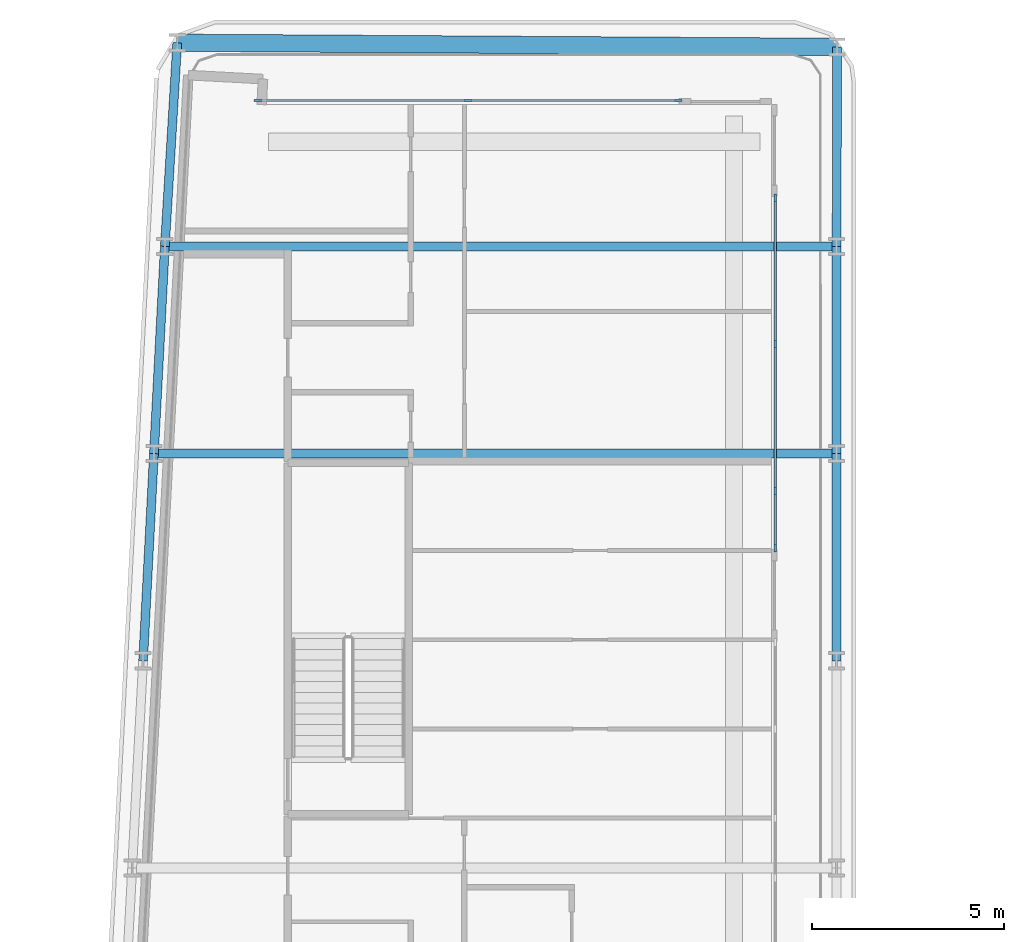
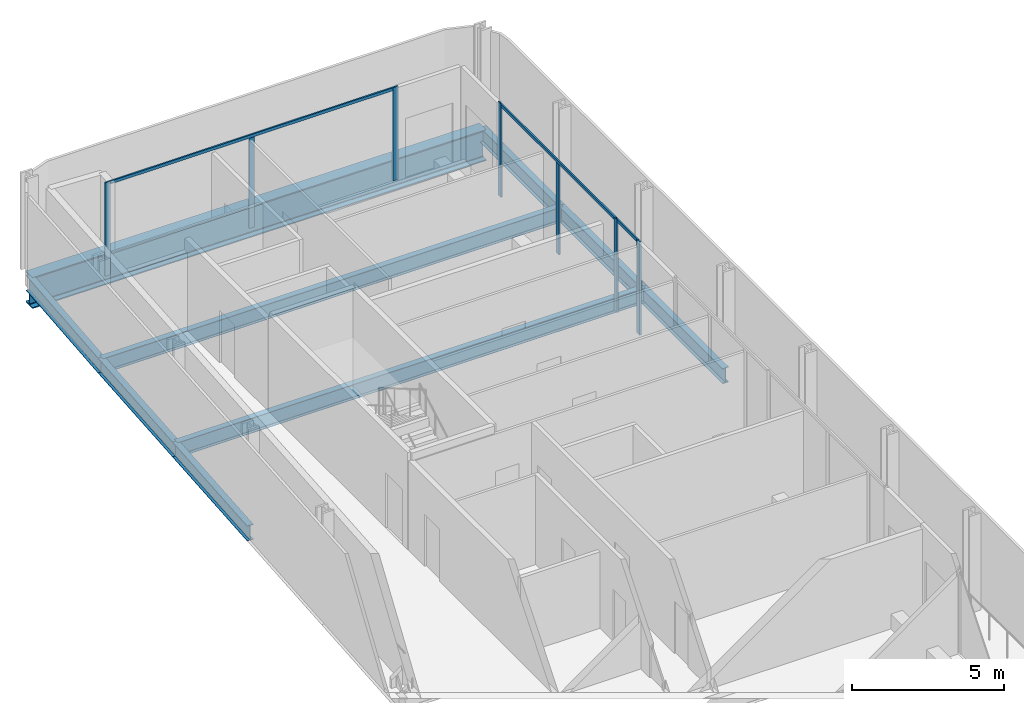
# One storey, part 8 of 25: 10 members, 9 beams, 3 elements without a shape of their own.
"""IFC4 building model written with IfcOpenShell, lengths in metres."""

from ifc_helpers import new_model, si_unit, direction, frame, origin, origin_2d, place, context, subcontext, project, spatial, rectangle, i_section, extrude, material, layer, layer_set, material_profile, profile_set, type_object, element, aggregate, save


model = new_model("IFC4")

# Units and contexts
model_context = context("Model", 3, precision=1e-05, world=origin(), true_north=direction((0.0, 1.0)))
body_context = subcontext(model_context, "Body", "Model", "MODEL_VIEW")
ifc_project = project(units=[si_unit("LENGTHUNIT", "METRE"), si_unit("AREAUNIT", "SQUARE_METRE"), si_unit("VOLUMEUNIT", "CUBIC_METRE"), si_unit("PLANEANGLEUNIT", "RADIAN"), si_unit("MASSUNIT", "GRAM", prefix="KILO")], contexts=[model_context])

# Site, building, storey
site_placement = place(None, origin())
site = spatial("IfcSite", under=ifc_project, at=site_placement, CompositionType="ELEMENT")
building_placement = place(site_placement, origin())
building = spatial("IfcBuilding", under=site, at=building_placement, Name="Kheshtan School and Residences Tower", CompositionType="ELEMENT")
storey_placement = place(building_placement, frame((0.0, 0.0, 34.39990234375)))
storey = spatial("IfcBuildingStorey", under=building, at=storey_placement, Name="L07", CompositionType="ELEMENT", Elevation=34.39990234375)

# Beams
ifc_material_1 = material(Name="Steel ASTM A992 Grade 50", Category="steel")
ifc_material_profile_1 = material_profile(ifc_material_1, i_section(OverallWidth=0.22802734375, OverallDepth=0.60302734375, WebThickness=0.010498046875, FlangeThickness=0.014892578125, FilletRadius=0.013427734375, at=origin_2d()), Name="W610x101")
ifc_profile_set_1 = profile_set([ifc_material_profile_1], Name="Steel ASTM A992 Grade 50")
beam_type_1 = type_object("IfcBeamType", Name="Beam FB5 W610x101 ASTM A992 Grade 50", PredefinedType="BEAM", material=ifc_profile_set_1)
beam_1_placement = place(storey_placement, frame((47.60009765625, 94.199951171875, -0.451416015625), z_axis=(-1.0, 0.0, 0.0), x_axis=(0.0, -1.0, 0.0)))
element("IfcBeam", 1, at=beam_1_placement, inside=storey, type_object=beam_type_1, Name="Floor beam C107", PredefinedType="BEAM", context=body_context, shape_type="SweptSolid", body=[
    extrude(i_section(OverallWidth=0.22802734375, OverallDepth=0.60302734375, WebThickness=0.010498046875, FlangeThickness=0.014892578125, FilletRadius=0.013427734375, at=origin_2d()), origin(), (0.0, 0.0, 1.0), 17.505126953125),
])
beam_2_placement = place(storey_placement, frame((29.81103515625, 88.800048828125, -0.451416015625), z_axis=(1.0, 0.0, 0.0), x_axis=(0.0, 1.0, 0.0)))
element("IfcBeam", 2, at=beam_2_placement, inside=storey, type_object=beam_type_1, Name="Floor beam C098", PredefinedType="BEAM", context=body_context, shape_type="SweptSolid", body=[
    extrude(i_section(OverallWidth=0.22802734375, OverallDepth=0.60302734375, WebThickness=0.010498046875, FlangeThickness=0.014892578125, FilletRadius=0.013427734375, at=origin_2d()), origin(), (0.0, 0.0, 1.0), 17.7890625),
])
ifc_material_profile_2 = material_profile(ifc_material_1, i_section(OverallWidth=0.22998046875, OverallDepth=0.616943359375, WebThickness=0.01318359375, FlangeThickness=0.022216796875, FilletRadius=0.0185546875, at=origin_2d()), Name="W610x140")
ifc_profile_set_2 = profile_set([ifc_material_profile_2], Name="Steel ASTM A992 Grade 50")
beam_type_2 = type_object("IfcBeamType", Name="Beam SP1 W610x140 ASTM A992 Grade 50", PredefinedType="BEAM", material=ifc_profile_set_2)
beam_3_placement = place(storey_placement, frame((47.614013671875, 99.39990234375, -0.45849609375), z_axis=(-0.002676172397, -0.999996419044, 0.0), x_axis=(0.999996419044, -0.002676172397, 0.0)))
element("IfcBeam", 3, at=beam_3_placement, inside=storey, type_object=beam_type_2, Name="Spandrel beam C109-C107", PredefinedType="BEAM", context=body_context, shape_type="SweptSolid", body=[
    extrude(i_section(OverallWidth=0.22998046875, OverallDepth=0.616943359375, WebThickness=0.01318359375, FlangeThickness=0.022216796875, FilletRadius=0.0185546875, at=origin_2d()), origin(), (0.0, 0.0, 1.0), 5.199951171875),
])
beam_4_placement = place(storey_placement, frame((47.60009765625, 94.199951171875, -0.45849609375), z_axis=(0.0, -1.0, 0.0), x_axis=(1.0, 0.0, 0.0)))
element("IfcBeam", 4, at=beam_4_placement, inside=storey, type_object=beam_type_2, Name="Spandrel beam C107-C099", PredefinedType="BEAM", context=body_context, shape_type="SweptSolid", body=[
    extrude(i_section(OverallWidth=0.22998046875, OverallDepth=0.616943359375, WebThickness=0.01318359375, FlangeThickness=0.022216796875, FilletRadius=0.0185546875, at=origin_2d()), origin(), (0.0, 0.0, 1.0), 5.39990234375),
])
beam_5_placement = place(storey_placement, frame((47.60009765625, 88.800048828125, -0.45849609375), z_axis=(0.0, -1.0, 0.0), x_axis=(1.0, 0.0, 0.0)))
element("IfcBeam", 5, at=beam_5_placement, inside=storey, type_object=beam_type_2, Name="Spandrel beam C099-C091", PredefinedType="BEAM", context=body_context, shape_type="SweptSolid", body=[
    extrude(i_section(OverallWidth=0.22998046875, OverallDepth=0.616943359375, WebThickness=0.01318359375, FlangeThickness=0.022216796875, FilletRadius=0.0185546875, at=origin_2d()), origin(), (0.0, 0.0, 1.0), 5.400146484375),
])
beam_6_placement = place(storey_placement, frame((29.527099609375, 83.39990234375, -0.45849609375), z_axis=(0.05250670125, 0.998620571751, 0.0), x_axis=(-0.998620571751, 0.05250670125, 0.0)))
element("IfcBeam", 6, at=beam_6_placement, inside=storey, type_object=beam_type_2, Name="Spandrel beam C090-C098", PredefinedType="BEAM", context=body_context, shape_type="SweptSolid", body=[
    extrude(i_section(OverallWidth=0.22998046875, OverallDepth=0.616943359375, WebThickness=0.01318359375, FlangeThickness=0.022216796875, FilletRadius=0.0185546875, at=origin_2d()), origin(), (0.0, 0.0, 1.0), 5.40771484375),
])
beam_7_placement = place(storey_placement, frame((29.81103515625, 88.800048828125, -0.45849609375), z_axis=(0.05250906864, 0.998620447272, 0.0), x_axis=(-0.998620447272, 0.05250906864, 0.0)))
element("IfcBeam", 7, at=beam_7_placement, inside=storey, type_object=beam_type_2, Name="Spandrel beam C098-C106", PredefinedType="BEAM", context=body_context, shape_type="SweptSolid", body=[
    extrude(i_section(OverallWidth=0.22998046875, OverallDepth=0.616943359375, WebThickness=0.01318359375, FlangeThickness=0.022216796875, FilletRadius=0.0185546875, at=origin_2d()), origin(), (0.0, 0.0, 1.0), 5.407470703125),
])
beam_8_placement = place(storey_placement, frame((30.094970703125, 94.199951171875, -0.45849609375), z_axis=(0.060737624537, 0.998153766193, 0.0), x_axis=(-0.998153766193, 0.060737624537, 0.0)))
element("IfcBeam", 8, at=beam_8_placement, inside=storey, type_object=beam_type_2, Name="Spandrel beam C106-C119", PredefinedType="BEAM", context=body_context, shape_type="SweptSolid", body=[
    extrude(i_section(OverallWidth=0.22998046875, OverallDepth=0.616943359375, WebThickness=0.01318359375, FlangeThickness=0.022216796875, FilletRadius=0.0185546875, at=origin_2d()), origin(), (0.0, 0.0, 1.0), 5.31787109375),
])

# Curtain wall, members
ifc_material_2 = material(Name="Clear low-e glass in thermally broken aluminium frame", Category="aluminium")
ifc_layer = layer(ifc_material_2, 0.199951171875)
ifc_layer_set = layer_set([ifc_layer], Name="Curtain wall CW-L")
curtain_wall_type = type_object("IfcCurtainWallType", Name="Curtain wall CW-L", PredefinedType="NOTDEFINED", material=ifc_layer_set)
curtain_wall_1_placement = place(storey_placement, origin())
curtain_wall_1 = element("IfcCurtainWall", 9, at=curtain_wall_1_placement, inside=storey, type_object=curtain_wall_type, Name="Curtain wall CWL7", PredefinedType="NOTDEFINED")
ifc_material_3 = material(Name="Thermally broken aluminium, dark bronze anodised", Category="aluminium")
ifc_material_profile_3 = material_profile(ifc_material_3, rectangle(XDim=0.06005859375, YDim=0.199951171875, at=origin_2d()), Name="CW-L mullion 60x200")
ifc_profile_set_3 = profile_set([ifc_material_profile_3], Name="Thermally broken aluminium, dark bronze anodised")
member_type_1 = type_object("IfcMemberType", Name="CW-L mullion 60x200", PredefinedType="MULLION", material=ifc_profile_set_3)
member_1_placement = place(storey_placement, frame((32.52197265625, 98.0, 0.0), z_axis=(0.0, 0.0, 1.0), x_axis=(0.0, 1.0, 0.0)))
member_1 = element("IfcMember", 10, at=member_1_placement, type_object=member_type_1, Name="CWL7 mullion 1", PredefinedType="MULLION", context=body_context, shape_type="SweptSolid", body=[
    extrude(rectangle(XDim=0.06005859375, YDim=0.199951171875, at=origin_2d()), origin(), (0.0, 0.0, 1.0), 3.75),
])
member_2_placement = place(storey_placement, frame((37.99609375, 98.0, 0.0), z_axis=(0.0, 0.0, 1.0), x_axis=(0.0, 1.0, 0.0)))
member_2 = element("IfcMember", 11, at=member_2_placement, type_object=member_type_1, Name="CWL7 mullion 2", PredefinedType="MULLION", context=body_context, shape_type="SweptSolid", body=[
    extrude(rectangle(XDim=0.06005859375, YDim=0.199951171875, at=origin_2d()), origin(), (0.0, 0.0, 1.0), 3.630126953125),
])
member_3_placement = place(storey_placement, frame((43.469970703125, 98.0, 0.0), z_axis=(0.0, 0.0, 1.0), x_axis=(0.0, 1.0, 0.0)))
member_3 = element("IfcMember", 12, at=member_3_placement, type_object=member_type_1, Name="CWL7 mullion 3", PredefinedType="MULLION", context=body_context, shape_type="SweptSolid", body=[
    extrude(rectangle(XDim=0.06005859375, YDim=0.199951171875, at=origin_2d()), origin(), (0.0, 0.0, 1.0), 3.75),
])

curtain_wall_2_placement = place(storey_placement, origin())
curtain_wall_2 = element("IfcCurtainWall", 13, at=curtain_wall_2_placement, inside=storey, type_object=curtain_wall_type, Name="Curtain wall CWL8", PredefinedType="NOTDEFINED")
member_4_placement = place(storey_placement, frame((46.0, 95.469970703125, 0.0), z_axis=(0.0, 0.0, 1.0), x_axis=(1.0, 0.0, 0.0)))
member_4 = element("IfcMember", 14, at=member_4_placement, type_object=member_type_1, Name="CWL8 mullion 1", PredefinedType="MULLION", context=body_context, shape_type="SweptSolid", body=[
    extrude(rectangle(XDim=0.06005859375, YDim=0.199951171875, at=origin_2d()), origin(), (0.0, 0.0, 1.0), 3.75),
])
member_5_placement = place(storey_placement, frame((46.0, 91.653076171875, 0.0), z_axis=(0.0, 0.0, 1.0), x_axis=(1.0, 0.0, 0.0)))
member_5 = element("IfcMember", 15, at=member_5_placement, type_object=member_type_1, Name="CWL8 mullion 2", PredefinedType="MULLION", context=body_context, shape_type="SweptSolid", body=[
    extrude(rectangle(XDim=0.06005859375, YDim=0.199951171875, at=origin_2d()), origin(), (0.0, 0.0, 1.0), 3.630126953125),
])
member_6_placement = place(storey_placement, frame((46.0, 87.8359375, 0.0), z_axis=(0.0, 0.0, 1.0), x_axis=(1.0, 0.0, 0.0)))
member_6 = element("IfcMember", 16, at=member_6_placement, type_object=member_type_1, Name="CWL8 mullion 3", PredefinedType="MULLION", context=body_context, shape_type="SweptSolid", body=[
    extrude(rectangle(XDim=0.06005859375, YDim=0.199951171875, at=origin_2d()), origin(), (0.0, 0.0, 1.0), 3.75),
])

# Curtain wall, member
curtain_wall_3_placement = place(storey_placement, origin())
curtain_wall_3 = element("IfcCurtainWall", 17, at=curtain_wall_3_placement, inside=storey, type_object=curtain_wall_type, Name="Curtain wall CWL8a", PredefinedType="NOTDEFINED")
member_7_placement = place(storey_placement, frame((46.0, 86.3359375, 0.0), z_axis=(0.0, 0.0, 1.0), x_axis=(1.0, 0.0, 0.0)))
member_7 = element("IfcMember", 18, at=member_7_placement, type_object=member_type_1, Name="CWL8a mullion 2", PredefinedType="MULLION", context=body_context, shape_type="SweptSolid", body=[
    extrude(rectangle(XDim=0.06005859375, YDim=0.199951171875, at=origin_2d()), origin(), (0.0, 0.0, 1.0), 3.75),
])

# Member
ifc_material_profile_4 = material_profile(ifc_material_3, rectangle(XDim=0.06005859375, YDim=0.1201171875, at=origin_2d()), Name="CW-L transom 60x120")
ifc_profile_set_4 = profile_set([ifc_material_profile_4], Name="Thermally broken aluminium, dark bronze anodised")
member_type_2 = type_object("IfcMemberType", Name="CW-L transom 60x120", PredefinedType="USERDEFINED", material=ifc_profile_set_4)
member_8_placement = place(storey_placement, frame((32.552001953125, 98.0, 3.690185546875), z_axis=(1.0, 0.0, 0.0), x_axis=(0.0, 1.0, 0.0)))
member_8 = element("IfcMember", 19, at=member_8_placement, type_object=member_type_2, Name="CWL7 transom 1", ObjectType="TRANSOM", PredefinedType="USERDEFINED", context=body_context, shape_type="SweptSolid", body=[
    extrude(rectangle(XDim=0.06005859375, YDim=0.1201171875, at=origin_2d()), origin(), (0.0, 0.0, 1.0), 10.887939453125),
])

aggregate(curtain_wall_1, [member_1, member_2, member_3, member_8])

member_9_placement = place(storey_placement, frame((46.0, 95.43994140625, 3.690185546875), z_axis=(0.0, -1.0, 0.0), x_axis=(1.0, 0.0, 0.0)))
member_9 = element("IfcMember", 20, at=member_9_placement, type_object=member_type_2, Name="CWL8 transom 1", ObjectType="TRANSOM", PredefinedType="USERDEFINED", context=body_context, shape_type="SweptSolid", body=[
    extrude(rectangle(XDim=0.06005859375, YDim=0.1201171875, at=origin_2d()), origin(), (0.0, 0.0, 1.0), 7.573974609375),
])

aggregate(curtain_wall_2, [member_4, member_5, member_6, member_9])

member_10_placement = place(storey_placement, frame((46.0, 87.805908203125, 3.690185546875), z_axis=(0.0, -1.0, 0.0), x_axis=(1.0, 0.0, 0.0)))
member_10 = element("IfcMember", 21, at=member_10_placement, type_object=member_type_2, Name="CWL8a transom 1", ObjectType="TRANSOM", PredefinedType="USERDEFINED", context=body_context, shape_type="SweptSolid", body=[
    extrude(rectangle(XDim=0.06005859375, YDim=0.1201171875, at=origin_2d()), origin(), (0.0, 0.0, 1.0), 1.43994140625),
])

aggregate(curtain_wall_3, [member_7, member_10])

# Beam
ifc_material_profile_5 = material_profile(ifc_material_1, i_section(OverallWidth=0.449951171875, OverallDepth=1.25, WebThickness=0.02490234375, FlangeThickness=0.044921875, FilletRadius=0.03759765625, at=origin_2d()), Name="WWF1250x546")
ifc_profile_set_5 = profile_set([ifc_material_profile_5], Name="Steel ASTM A992 Grade 50")
beam_type_3 = type_object("IfcBeamType", Name="Transfer girder TG4 WWF1250x546 ASTM A992 Grade 50", PredefinedType="BEAM", material=ifc_profile_set_5)
beam_9_placement = place(storey_placement, frame((30.41796875, 99.508056640625, -0.77490234375), z_axis=(0.999980221765, -0.006289362366, 0.0), x_axis=(0.006289362366, 0.999980221765, 0.0)))
element("IfcBeam", 22, at=beam_9_placement, inside=storey, type_object=beam_type_3, Name="Transfer girder C119-C109", PredefinedType="BEAM", context=body_context, shape_type="SweptSolid", body=[
    extrude(i_section(OverallWidth=0.449951171875, OverallDepth=1.25, WebThickness=0.02490234375, FlangeThickness=0.044921875, FilletRadius=0.03759765625, at=origin_2d()), origin(), (0.0, 0.0, 1.0), 17.1962890625),
])

save(model, "model.ifc")
